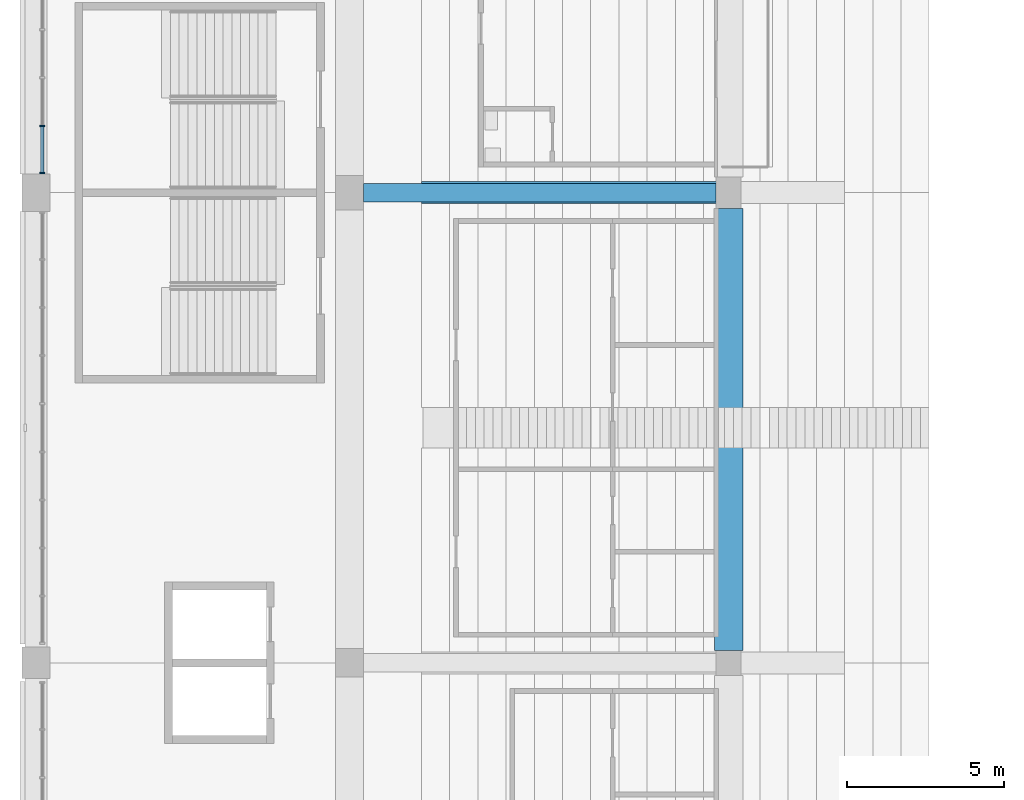
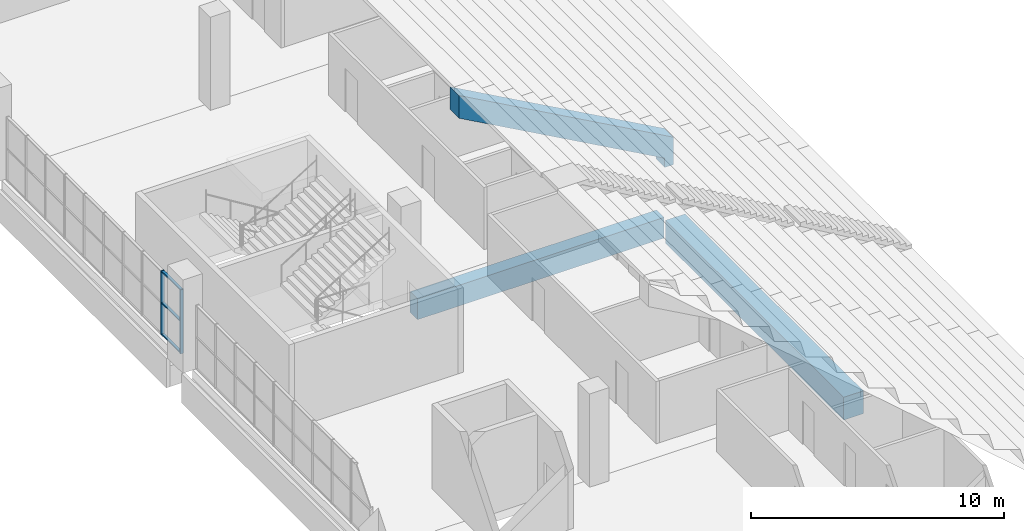
# One storey, part 24 of 249: 5 members, 3 beams, 1 element without a shape of its own.
"""IFC4 building model written with IfcOpenShell, lengths in metres."""

from ifc_helpers import new_model, si_unit, direction, frame, origin, origin_2d, place, context, subcontext, project, spatial, polyline, rectangle, outline, extrude, material, material_profile, profile_set, type_object, element, aggregate, save


model = new_model("IFC4")

# Units and contexts
model_context = context("Model", 3, precision=1e-05, world=origin(), true_north=direction((0.0, 1.0)))
body_context = subcontext(model_context, "Body", "Model", "MODEL_VIEW")
ifc_project = project(units=[si_unit("LENGTHUNIT", "METRE"), si_unit("AREAUNIT", "SQUARE_METRE"), si_unit("VOLUMEUNIT", "CUBIC_METRE"), si_unit("PLANEANGLEUNIT", "RADIAN"), si_unit("MASSUNIT", "GRAM", prefix="KILO")], contexts=[model_context])

# Site, building, storey
site_placement = place(None, origin())
site = spatial("IfcSite", under=ifc_project, at=site_placement, CompositionType="ELEMENT")
building_placement = place(site_placement, origin())
building = spatial("IfcBuilding", under=site, at=building_placement, Name="Ogive Plaza Stadium", CompositionType="ELEMENT")
storey_placement = place(building_placement, frame((0.0, 0.0, 13.5)))
storey = spatial("IfcBuildingStorey", under=building, at=storey_placement, Name="L03", CompositionType="ELEMENT", Elevation=13.5)

# Curtain wall, members
ifc_material_1 = material(Name="Bronze-anodised aluminium with laminated glass", Category="aluminium")
curtain_wall_type = type_object("IfcCurtainWallType", Name="Lancet curtain wall", PredefinedType="NOTDEFINED", material=ifc_material_1)
curtain_wall_placement = place(storey_placement, origin())
curtain_wall = element("IfcCurtainWall", 1, at=curtain_wall_placement, inside=storey, type_object=curtain_wall_type, Name="CURTAIN WALL B26 L03", PredefinedType="NOTDEFINED")
ifc_material_2 = material(Name="Bronze-anodised aluminium", Category="aluminium")
ifc_material_profile_1 = material_profile(ifc_material_2, rectangle(XDim=0.14990234375, YDim=0.050048828125, at=origin_2d()), Name="AL 150x50")
ifc_profile_set_1 = profile_set([ifc_material_profile_1], Name="Bronze-anodised aluminium")
member_type_1 = type_object("IfcMemberType", Name="Curtain wall mullion 50x150", PredefinedType="MULLION", material=ifc_profile_set_1)
member_1_placement = place(storey_placement, frame((-83.800048828125, 23.125, 0.0), z_axis=(0.0, 0.0, 1.0), x_axis=(-1.0, 0.0, 0.0)))
member_1 = element("IfcMember", 2, at=member_1_placement, type_object=member_type_1, Name="CW-B26-L03 mullion 1", PredefinedType="MULLION", context=body_context, shape_type="SweptSolid", body=[
    extrude(rectangle(XDim=0.14990234375, YDim=0.050048828125, at=origin_2d()), origin(), (0.0, 0.0, 1.0), 3.090087890625),
])
member_2_placement = place(storey_placement, frame((-83.800048828125, 24.63330078125, 0.0), z_axis=(0.0, 0.0, 1.0), x_axis=(-1.0, 0.0, 0.0)))
member_2 = element("IfcMember", 3, at=member_2_placement, type_object=member_type_1, Name="CW-B26-L03 mullion 2", PredefinedType="MULLION", context=body_context, shape_type="SweptSolid", body=[
    extrude(rectangle(XDim=0.14990234375, YDim=0.050048828125, at=origin_2d()), origin(), (0.0, 0.0, 1.0), 3.090087890625),
])
ifc_material_3 = material(Name="Bronze-anodised aluminium", Category="aluminium")
ifc_material_profile_2 = material_profile(ifc_material_3, rectangle(XDim=0.1201171875, YDim=0.050048828125, at=origin_2d()), Name="AL 120x50")
ifc_profile_set_2 = profile_set([ifc_material_profile_2], Name="Bronze-anodised aluminium")
member_type_2 = type_object("IfcMemberType", Name="Curtain wall transom 50x120", PredefinedType="USERDEFINED", material=ifc_profile_set_2)
member_3_placement = place(storey_placement, frame((-83.800048828125, 23.14990234375, 0.02490234375), z_axis=(0.0, 1.0, 0.0), x_axis=(-1.0, 0.0, 0.0)))
member_3 = element("IfcMember", 4, at=member_3_placement, type_object=member_type_2, Name="CW-B26-L03 transom 1.1", ObjectType="TRANSOM", PredefinedType="USERDEFINED", context=body_context, shape_type="SweptSolid", body=[
    extrude(rectangle(XDim=0.1201171875, YDim=0.050048828125, at=origin_2d()), origin(), (0.0, 0.0, 1.0), 1.45849609375),
])
member_4_placement = place(storey_placement, frame((-83.800048828125, 23.14990234375, 1.544921875), z_axis=(0.0, 1.0, 0.0), x_axis=(-1.0, 0.0, 0.0)))
member_4 = element("IfcMember", 5, at=member_4_placement, type_object=member_type_2, Name="CW-B26-L03 transom 1.2", ObjectType="TRANSOM", PredefinedType="USERDEFINED", context=body_context, shape_type="SweptSolid", body=[
    extrude(rectangle(XDim=0.1201171875, YDim=0.050048828125, at=origin_2d()), origin(), (0.0, 0.0, 1.0), 1.45849609375),
])
member_5_placement = place(storey_placement, frame((-83.800048828125, 23.14990234375, 3.06494140625), z_axis=(0.0, 1.0, 0.0), x_axis=(-1.0, 0.0, 0.0)))
member_5 = element("IfcMember", 6, at=member_5_placement, type_object=member_type_2, Name="CW-B26-L03 transom 1.3", ObjectType="TRANSOM", PredefinedType="USERDEFINED", context=body_context, shape_type="SweptSolid", body=[
    extrude(rectangle(XDim=0.1201171875, YDim=0.050048828125, at=origin_2d()), origin(), (0.0, 0.0, 1.0), 1.45849609375),
])
aggregate(curtain_wall, [member_1, member_2, member_3, member_4, member_5])

# Beams
ifc_material_4 = material(Name="Concrete C45/55 precast", Category="concrete")
ifc_material_profile_3 = material_profile(ifc_material_4, rectangle(XDim=0.699951171875, YDim=1.10009765625, at=origin_2d()), Name="RC 700x1100")
ifc_profile_set_3 = profile_set([ifc_material_profile_3], Name="Concrete C45/55 precast")
beam_type_1 = type_object("IfcBeamType", Name="Precast raker UT back-span 700x1100", PredefinedType="USERDEFINED", material=ifc_profile_set_3)
beam_1_placement = place(storey_placement, frame((-34.0, 22.5, -13.5), z_axis=(0.0, 0.0, 1.0), x_axis=(-1.0, 0.0, 0.0)))
element("IfcBeam", 7, at=beam_1_placement, inside=storey, type_object=beam_type_1, Name="RAKER UT BACK-SPAN R26", ObjectType="RAKER", PredefinedType="USERDEFINED", context=body_context, shape_type="SweptSolid", body=[
    extrude(outline(polyline([(27.89990234375, 15.533203125), (28.300048828125, 15.533203125), (28.300048828125, 15.977783203125), (37.699951171875, 21.199951171875), (37.699951171875, 22.300048828125), (27.89990234375, 16.855712890625), (27.89990234375, 15.533203125)])), frame((0.0, 0.35009765625, 0.0), z_axis=(0.0, -1.0, 0.0), x_axis=(1.0, 0.0, 0.0)), (0.0, 0.0, 1.0), 0.699951171875),
])
ifc_material_5 = material(Name="Concrete C40/50", Category="concrete")
ifc_material_profile_4 = material_profile(ifc_material_5, rectangle(XDim=0.60009765625, YDim=1.0, at=origin_2d()), Name="RC 600x1000")
ifc_profile_set_4 = profile_set([ifc_material_profile_4], Name="Concrete C40/50")
beam_type_2 = type_object("IfcBeamType", Name="RC radial beam 600x1000", PredefinedType="BEAM", material=ifc_profile_set_4)
beam_2_placement = place(storey_placement, frame((-62.300048828125, 22.5, -0.909912109375), z_axis=(-1.0, 0.0, 0.0), x_axis=(0.0, -1.0, 0.0)))
element("IfcBeam", 8, at=beam_2_placement, inside=storey, type_object=beam_type_2, Name="Radial beam L03 R26 F3F4", PredefinedType="BEAM", context=body_context, shape_type="SweptSolid", body=[
    extrude(rectangle(XDim=0.60009765625, YDim=1.0, at=origin_2d()), origin(), (0.0, 0.0, 1.0), 11.25),
])
ifc_material_6 = material(Name="Concrete C40/50", Category="concrete")
ifc_material_profile_5 = material_profile(ifc_material_6, rectangle(XDim=0.89990234375, YDim=1.10009765625, at=origin_2d()), Name="RC 900x1100")
ifc_profile_set_5 = profile_set([ifc_material_profile_5], Name="Concrete C40/50")
beam_type_3 = type_object("IfcBeamType", Name="RC ring beam 900x1100", PredefinedType="BEAM", material=ifc_profile_set_5)
beam_3_placement = place(storey_placement, frame((-61.89990234375, 7.89990234375, -0.9599609375), z_axis=(0.0, 1.0, 0.0), x_axis=(-1.0, 0.0, 0.0)))
element("IfcBeam", 9, at=beam_3_placement, inside=storey, type_object=beam_type_3, Name="Ring beam F3 L03 B25", PredefinedType="BEAM", context=body_context, shape_type="SweptSolid", body=[
    extrude(rectangle(XDim=0.89990234375, YDim=1.10009765625, at=origin_2d()), origin(), (0.0, 0.0, 1.0), 14.10009765625),
])

save(model, "model.ifc")
